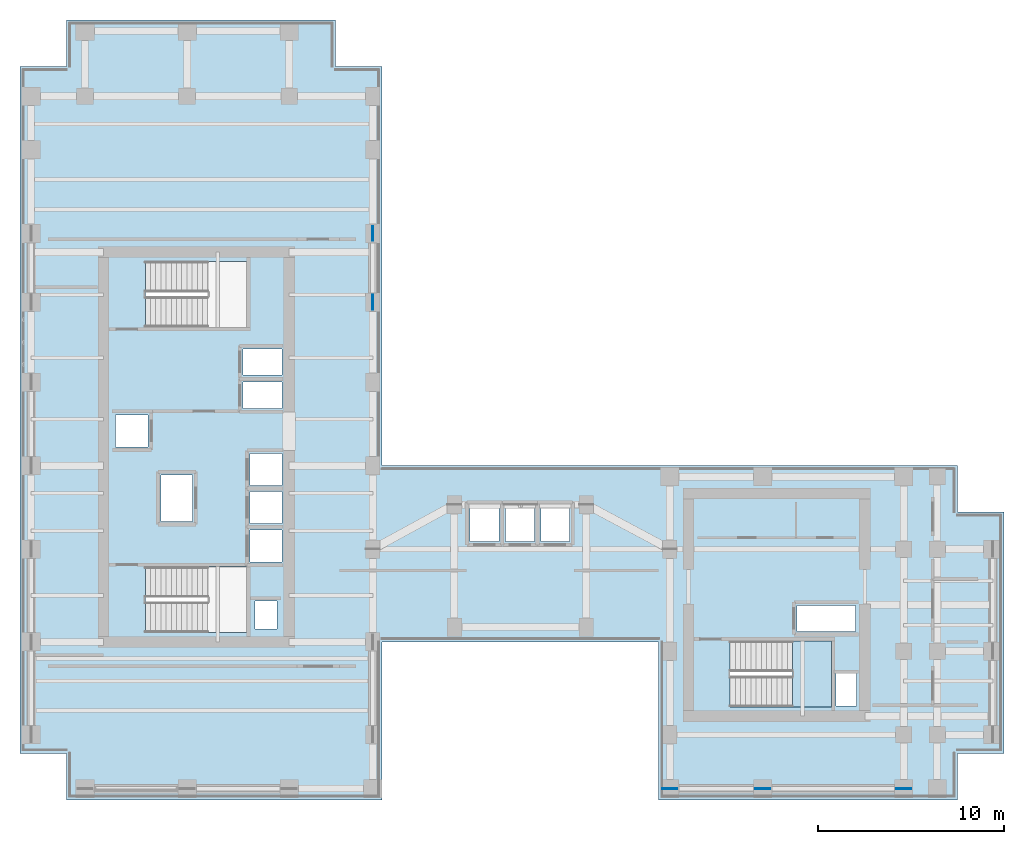
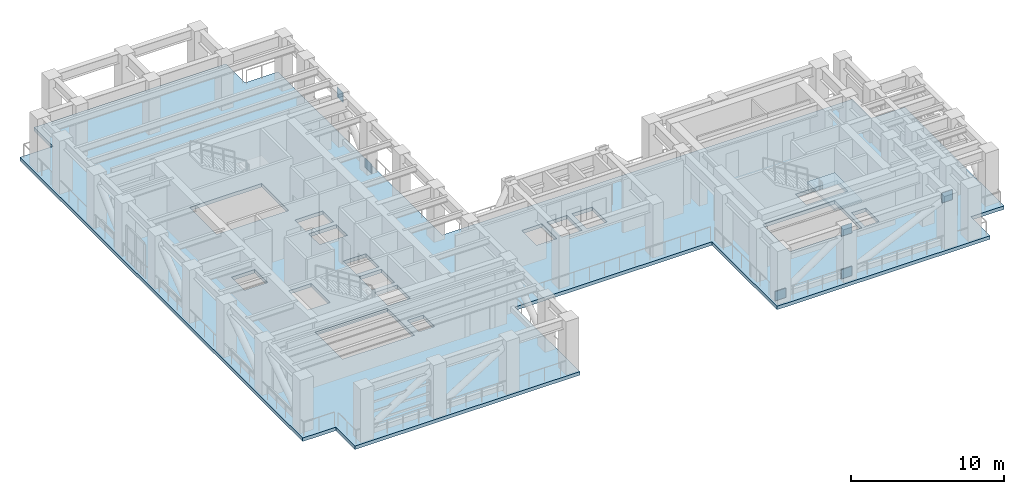
# One storey, part 7 of 14: 6 plates, 2 slabs, 1 element without a shape of its own.
"""IFC4 building model written with IfcOpenShell, lengths in metres."""

from ifc_helpers import new_model, si_unit, direction, frame, origin, origin_2d, place, context, subcontext, project, spatial, polyline, rectangle, outline, extrude, source, transform, mapped, material, layer, layer_set, type_object, element, aggregate, save


model = new_model("IFC4")

# Units and contexts
model_context = context("Model", 3, precision=1e-05, world=origin(), true_north=direction((0.0, 1.0)))
body_context = subcontext(model_context, "Body", "Model", "MODEL_VIEW")
ifc_project = project(units=[si_unit("LENGTHUNIT", "METRE"), si_unit("AREAUNIT", "SQUARE_METRE"), si_unit("VOLUMEUNIT", "CUBIC_METRE"), si_unit("PLANEANGLEUNIT", "RADIAN"), si_unit("MASSUNIT", "GRAM", prefix="KILO")], contexts=[model_context])

# Site, building, storey
site_placement = place(None, origin())
site = spatial("IfcSite", under=ifc_project, at=site_placement, CompositionType="ELEMENT")
building_placement = place(site_placement, origin())
building = spatial("IfcBuilding", under=site, at=building_placement, Name="Kharzan Plaza Tower", CompositionType="ELEMENT")
storey_placement = place(building_placement, frame((0.0, 0.0, 207.89990234375)))
storey = spatial("IfcBuildingStorey", under=building, at=storey_placement, Name="L56", CompositionType="ELEMENT", Elevation=207.89990234375)

# Slab
ifc_material_1 = material(Name="Concrete C40/50", Category="concrete")
ifc_layer_1 = layer(ifc_material_1, 0.280029296875)
ifc_layer_set_1 = layer_set([ifc_layer_1], Name="Concrete C40/50")
slab_type_1 = type_object("IfcSlabType", Name="SL-FLOOR-280", PredefinedType="FLOOR", material=ifc_layer_set_1)
slab_1_placement = place(storey_placement, frame((0.0, 0.0, -0.27978515625)))
element("IfcSlab", 1, at=slab_1_placement, inside=storey, type_object=slab_type_1, Name="L56 Composite Structural Floor Slab 280 mm", PredefinedType="FLOOR", context=body_context, shape_type="SweptSolid", body=[
    extrude(outline(polyline([(34.39990234375, 18.0), (19.5, 18.0), (19.5, 39.5), (17.0, 39.5), (17.0, 42.0), (2.5, 42.0), (2.5, 39.5), (0.0, 39.5), (0.0, 2.5), (2.5, 2.5), (2.5, 0.0), (19.5, 0.0), (19.5, 8.5), (34.39990234375, 8.5), (34.39990234375, 0.0), (50.5, 0.0), (50.5, 2.5), (53.0, 2.5), (53.0, 15.5), (50.5, 15.5), (50.5, 18.0), (34.39990234375, 18.0)]), holes=[polyline([(12.199951171875, 9.0), (12.199951171875, 12.550048828125), (6.75, 12.550048828125), (6.75, 9.0), (12.199951171875, 9.0)]), polyline([(14.10009765625, 12.800048828125), (14.10009765625, 14.530029296875), (12.39990234375, 14.530029296875), (12.39990234375, 12.800048828125), (14.10009765625, 12.800048828125)]), polyline([(14.10009765625, 14.8701171875), (14.10009765625, 16.60009765625), (12.39990234375, 16.60009765625), (12.39990234375, 14.8701171875), (14.10009765625, 14.8701171875)]), polyline([(9.300048828125, 15.0), (9.300048828125, 17.5), (7.60009765625, 17.5), (7.60009765625, 15.0), (9.300048828125, 15.0)]), polyline([(6.89990234375, 19.010009765625), (6.89990234375, 20.72998046875), (5.14990234375, 20.72998046875), (5.14990234375, 19.010009765625), (6.89990234375, 19.010009765625)]), polyline([(14.10009765625, 21.070068359375), (14.10009765625, 22.489990234375), (12.0, 22.489990234375), (12.0, 21.070068359375), (14.10009765625, 21.070068359375)]), polyline([(14.10009765625, 22.8701171875), (14.10009765625, 24.2900390625), (12.0, 24.2900390625), (12.0, 22.8701171875), (14.10009765625, 22.8701171875)]), polyline([(12.199951171875, 25.449951171875), (12.199951171875, 29.0), (6.75, 29.0), (6.75, 25.449951171875), (12.199951171875, 25.449951171875)]), polyline([(45.050048828125, 5.050048828125), (45.050048828125, 6.800048828125), (43.949951171875, 6.800048828125), (43.949951171875, 5.050048828125), (45.050048828125, 5.050048828125)]), polyline([(43.699951171875, 5.0), (43.699951171875, 8.550048828125), (38.25, 8.550048828125), (38.25, 5.0), (43.699951171875, 5.0)]), polyline([(45.0, 9.070068359375), (45.0, 10.469970703125), (41.85009765625, 10.469970703125), (41.85009765625, 9.070068359375), (45.0, 9.070068359375)]), polyline([(13.85009765625, 9.199951171875), (13.85009765625, 10.699951171875), (12.64990234375, 10.699951171875), (12.64990234375, 9.199951171875), (13.85009765625, 9.199951171875)]), polyline([(25.800048828125, 13.89990234375), (25.800048828125, 15.85009765625), (24.25, 15.85009765625), (24.25, 13.89990234375), (25.800048828125, 13.89990234375)]), polyline([(27.699951171875, 13.89990234375), (27.699951171875, 15.85009765625), (26.14990234375, 15.85009765625), (26.14990234375, 13.89990234375), (27.699951171875, 13.89990234375)]), polyline([(29.60009765625, 13.89990234375), (29.60009765625, 15.85009765625), (28.050048828125, 15.85009765625), (28.050048828125, 13.89990234375), (29.60009765625, 13.89990234375)]), polyline([(14.10009765625, 16.93994140625), (14.10009765625, 18.64990234375), (12.39990234375, 18.64990234375), (12.39990234375, 16.93994140625), (14.10009765625, 16.93994140625)])]), origin(), (0.0, 0.0, 1.0), 0.27978515625),
])

# Stair, slab
stair_type = type_object("IfcStairType", Name="STR-ST-3", PredefinedType="HALF_TURN_STAIR", material=ifc_material_1)
stair_placement = place(storey_placement, origin())
stair = element("IfcStair", 2, at=stair_placement, inside=storey, type_object=stair_type, Name="L56 Protected Exit Stair ST-3", PredefinedType="HALF_TURN_STAIR")
ifc_layer_2 = layer(ifc_material_1, 0.219970703125)
ifc_layer_set_2 = layer_set([ifc_layer_2], Name="Concrete C40/50")
slab_type_2 = type_object("IfcSlabType", Name="SL-LANDING-220", PredefinedType="LANDING", material=ifc_layer_set_2)
slab_2_placement = place(storey_placement, frame((0.0, 0.0, 2.050048828125)))
slab_2 = element("IfcSlab", 3, at=slab_2_placement, type_object=slab_type_2, Name="ST-3 landing 1", PredefinedType="LANDING", context=body_context, shape_type="SweptSolid", body=[
    extrude(outline(polyline([(41.610107421875, 5.0), (43.699951171875, 5.0), (43.699951171875, 8.550048828125), (41.610107421875, 8.550048828125), (41.610107421875, 5.0)])), origin(), (0.0, 0.0, 1.0), 0.199951171875),
])
aggregate(stair, [slab_2])

# Plates
ifc_material_2 = material(Name="Steel S460", Category="steel")
ifc_layer_3 = layer(ifc_material_2, 0.0400390625)
ifc_layer_set_3 = layer_set([ifc_layer_3], Name="Steel S460")
plate_type = type_object("IfcPlateType", Name="PLT-BTN1", PredefinedType="USERDEFINED", material=ifc_layer_set_3)
shared_shape = source(origin(), body_context, "Body", "SweptSolid", [
    extrude(rectangle(XDim=0.800048828125, YDim=0.0400390625, at=origin_2d()), origin(), (0.0, 0.0, 1.0), 0.800048828125),
])
for number, where, z_axis, x_axis, name in (
    (4, (19.0, 26.800048828125, -0.0498046875), (0.0, 0.0, 1.0), (0.0, 1.0, 0.0), "L56 Belt Truss Node Gusset Plate BTN1-BTA-2"),
    (5, (19.0, 30.5, 3.41015625), (0.0, 0.0, 1.0), (0.0, 1.0, 0.0), "L56 Belt Truss Node Gusset Plate BTN1-T-BTA-2"),
    (6, (35.0, 0.60009765625, -0.0498046875), (0.0, 0.0, 1.0), (1.0, 0.0, 0.0), "L56 Belt Truss Node Gusset Plate BTN1-BTS-3"),
    (7, (40.0, 0.60009765625, 3.41015625), (0.0, 0.0, 1.0), (1.0, 0.0, 0.0), "L56 Belt Truss Node Gusset Plate BTN1-T-BTS-3"),
    (8, (40.0, 0.60009765625, -0.0498046875), (0.0, 0.0, 1.0), (1.0, 0.0, 0.0), "L56 Belt Truss Node Gusset Plate BTN1-BTS-4"),
    (9, (47.60009765625, 0.60009765625, 3.41015625), (0.0, 0.0, 1.0), (1.0, 0.0, 0.0), "L56 Belt Truss Node Gusset Plate BTN1-T-BTS-4"),
):
    element("IfcPlate", number, at=place(storey_placement, frame(where, z_axis=z_axis, x_axis=x_axis)), inside=storey, type_object=plate_type, Name=name, ObjectType="GUSSET_PLATE", PredefinedType="USERDEFINED", context=body_context, shape_type="MappedRepresentation", body=[
        mapped(shared_shape, transform((0.0, 0.0, 0.0), x_axis=(1.0, 0.0, 0.0), y_axis=(0.0, 1.0, 0.0), z_axis=(0.0, 0.0, 1.0))),
    ])

save(model, "model.ifc")
